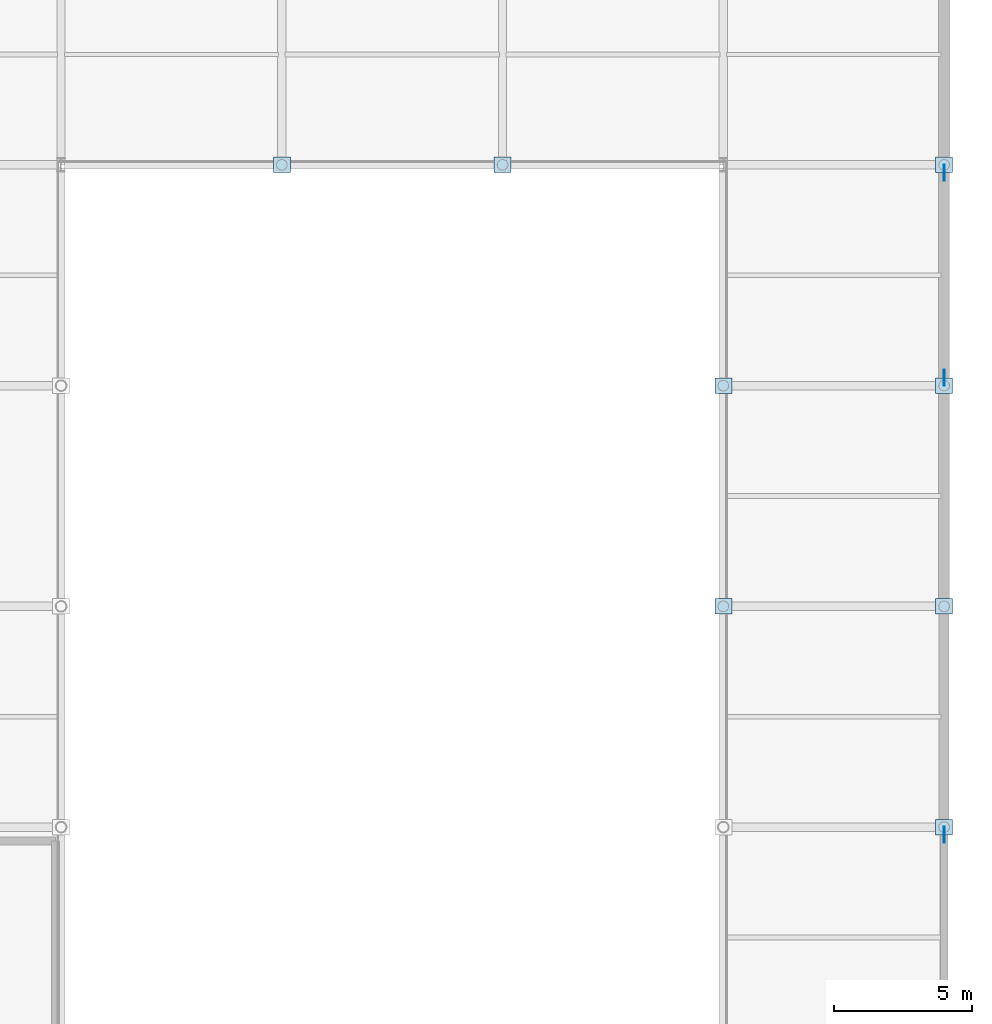
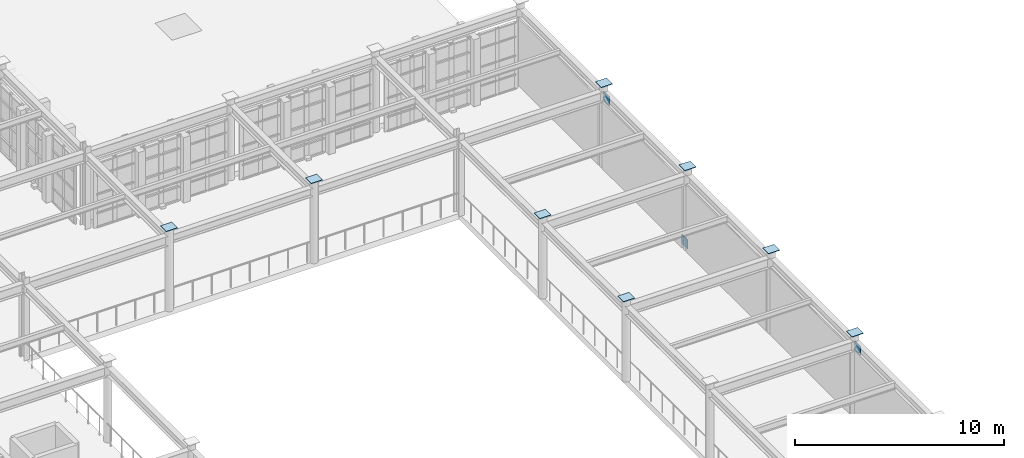
# One storey, part 131 of 155: 11 plates.
"""IFC4 building model written with IfcOpenShell, lengths in metres."""

from ifc_helpers import new_model, si_unit, direction, frame, origin, origin_2d, place, context, subcontext, project, spatial, rectangle, extrude, material, layer, layer_set, type_object, element, save


model = new_model("IFC4")

# Units and contexts
model_context = context("Model", 3, precision=1e-05, world=origin(), true_north=direction((0.0, 1.0)))
body_context = subcontext(model_context, "Body", "Model", "MODEL_VIEW")
ifc_project = project(units=[si_unit("LENGTHUNIT", "METRE"), si_unit("AREAUNIT", "SQUARE_METRE"), si_unit("VOLUMEUNIT", "CUBIC_METRE"), si_unit("PLANEANGLEUNIT", "RADIAN"), si_unit("MASSUNIT", "GRAM", prefix="KILO")], contexts=[model_context])

# Site, building, storey
site_placement = place(None, origin())
site = spatial("IfcSite", under=ifc_project, at=site_placement, CompositionType="ELEMENT")
building_placement = place(site_placement, origin())
building = spatial("IfcBuilding", under=site, at=building_placement, Name="Tazarka Park Arena", CompositionType="ELEMENT")
storey_placement = place(building_placement, frame((0.0, 0.0, 5.39990234375)))
storey = spatial("IfcBuildingStorey", under=building, at=storey_placement, Name="L01", CompositionType="ELEMENT", Elevation=5.39990234375)

# Plates
ifc_material_1 = material(Name="Steel S460", Category="steel")
ifc_layer_1 = layer(ifc_material_1, 0.030029296875, Name="Steel S460")
ifc_layer_set_1 = layer_set([ifc_layer_1], Name="Steel S460")
plate_type_1 = type_object("IfcPlateType", Name="PLT-PL-01", PredefinedType="SHEET", material=ifc_layer_set_1)
for number, where, z_axis, x_axis, name in (
    (1, (160.0, 96.0, 4.80029296875), (0.0, 0.0, 1.0), (1.0, 0.0, 0.0), "CPL-L01-20-12"),
    (2, (168.0, 96.0, 4.80029296875), (0.0, 0.0, 1.0), (1.0, 0.0, 0.0), "CPL-L01-21-12"),
    (3, (176.0, 80.0, 4.80029296875), (0.0, 0.0, 1.0), (1.0, 0.0, 0.0), "CPL-L01-22-10"),
    (4, (176.0, 88.0, 4.80029296875), (0.0, 0.0, 1.0), (1.0, 0.0, 0.0), "CPL-L01-22-11"),
    (5, (184.0, 72.0, 4.80029296875), (0.0, 0.0, 1.0), (1.0, 0.0, 0.0), "CPL-L01-23-09"),
    (6, (184.0, 80.0, 4.80029296875), (0.0, 0.0, 1.0), (1.0, 0.0, 0.0), "CPL-L01-23-10"),
    (7, (184.0, 88.0, 4.80029296875), (0.0, 0.0, 1.0), (1.0, 0.0, 0.0), "CPL-L01-23-11"),
    (8, (184.0, 96.0, 4.80029296875), (0.0, 0.0, 1.0), (1.0, 0.0, 0.0), "CPL-L01-23-12"),
):
    element("IfcPlate", number, at=place(storey_placement, frame(where, z_axis=z_axis, x_axis=x_axis)), inside=storey, type_object=plate_type_1, Name=name, PredefinedType="SHEET", context=body_context, shape_type="SweptSolid", body=[
        extrude(rectangle(XDim=0.6201171875, YDim=0.56005859375, at=origin_2d()), origin(), (0.0, 0.0, 1.0), 0.030029296875),
    ])
ifc_material_2 = material(Name="Steel S460", Category="steel")
ifc_layer_2 = layer(ifc_material_2, 0.035888671875, Name="Steel S460")
ifc_layer_set_2 = layer_set([ifc_layer_2], Name="Steel S460")
plate_type_2 = type_object("IfcPlateType", Name="PLT-PL-11", PredefinedType="USERDEFINED", material=ifc_layer_set_2)
for number, where, z_axis, x_axis, name in (
    (9, (184.0, 71.719970703125, 3.81005859375), (0.0, 0.0, 1.0), (1.0, 0.0, 0.0), "BRP-L01-02-2"),
    (10, (184.0, 88.280029296875, -0.010009765625), (0.0, 0.0, 1.0), (1.0, 0.0, 0.0), "BRP-L01-03-1"),
    (11, (184.0, 95.719970703125, 3.81005859375), (0.0, 0.0, 1.0), (1.0, 0.0, 0.0), "BRP-L01-03-2"),
):
    element("IfcPlate", number, at=place(storey_placement, frame(where, z_axis=z_axis, x_axis=x_axis)), inside=storey, type_object=plate_type_2, Name=name, ObjectType="STIFFENER", PredefinedType="USERDEFINED", context=body_context, shape_type="SweptSolid", body=[
        extrude(rectangle(XDim=0.035888671875, YDim=0.580078125, at=origin_2d()), origin(), (0.0, 0.0, 1.0), 0.52001953125),
    ])

save(model, "model.ifc")
